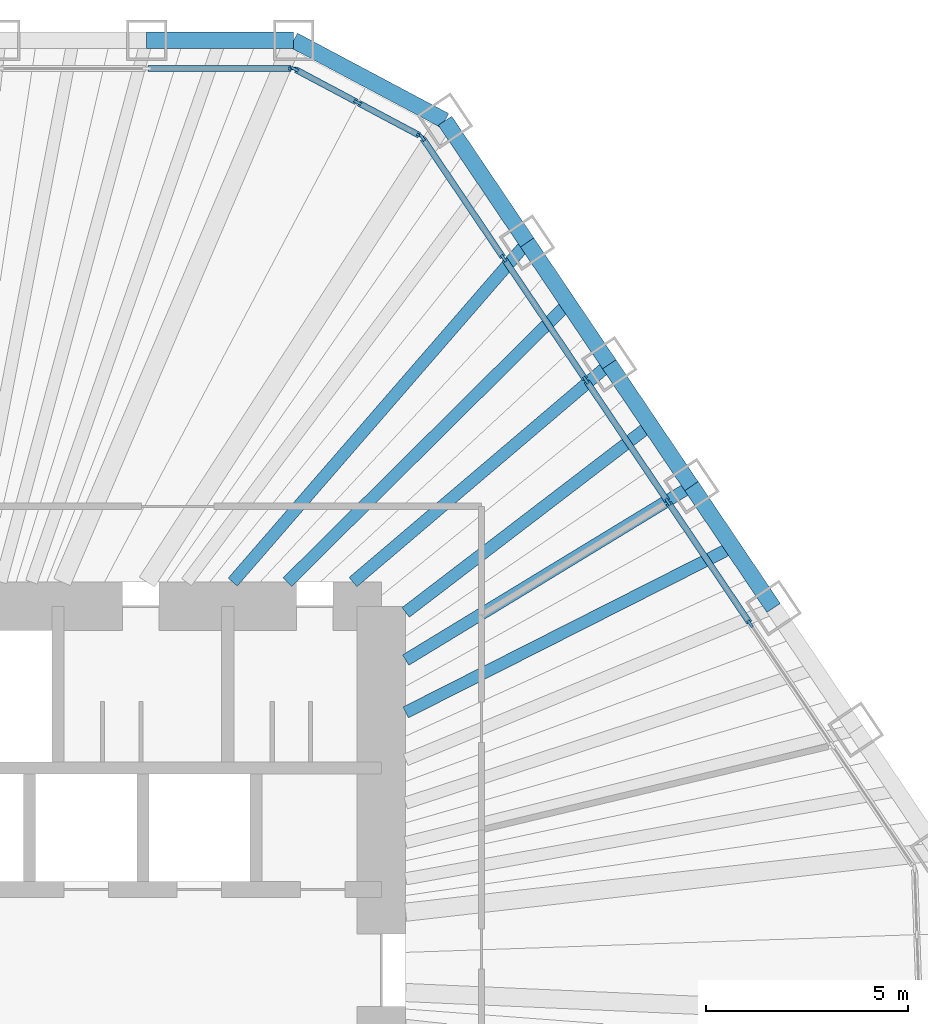
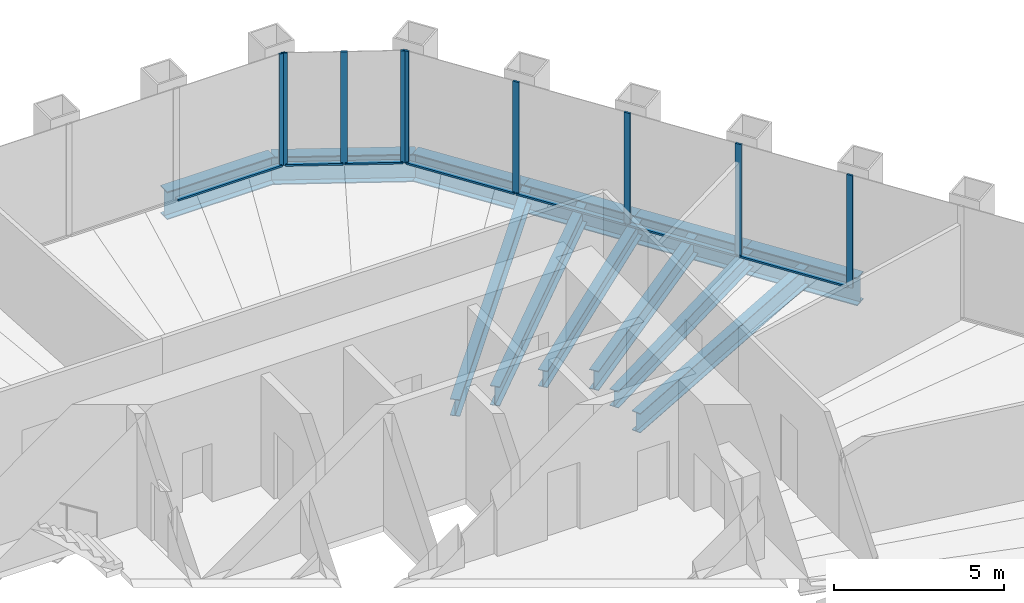
# One storey, part 7 of 13: 16 members, 12 beams, 3 elements without a shape of their own.
"""IFC4 building model written with IfcOpenShell, lengths in metres."""

from ifc_helpers import new_model, si_unit, direction, frame, origin, origin_2d, place, context, subcontext, project, spatial, rectangle, i_section, extrude, material, material_profile, profile_set, type_object, element, aggregate, save


model = new_model("IFC4")

# Units and contexts
model_context = context("Model", 3, precision=1e-05, world=origin(), true_north=direction((0.0, 1.0)))
body_context = subcontext(model_context, "Body", "Model", "MODEL_VIEW")
ifc_project = project(units=[si_unit("LENGTHUNIT", "METRE"), si_unit("AREAUNIT", "SQUARE_METRE"), si_unit("VOLUMEUNIT", "CUBIC_METRE"), si_unit("PLANEANGLEUNIT", "RADIAN"), si_unit("MASSUNIT", "GRAM", prefix="KILO")], contexts=[model_context])

# Site, building, storey
site_placement = place(None, origin())
site = spatial("IfcSite", under=ifc_project, at=site_placement, CompositionType="ELEMENT")
building_placement = place(site_placement, origin())
building = spatial("IfcBuilding", under=site, at=building_placement, Name="Qingtian Harvest Tower", CompositionType="ELEMENT")
storey_placement = place(building_placement, frame((0.0, 0.0, 226.60009765625)))
storey = spatial("IfcBuildingStorey", under=building, at=storey_placement, Name="L49", CompositionType="ELEMENT", Elevation=226.60009765625)

# Beams
ifc_material_1 = material(Name="Steel SN490B", Category="steel")
ifc_material_profile_1 = material_profile(ifc_material_1, i_section(OverallWidth=0.300048828125, OverallDepth=0.60009765625, WebThickness=0.011962890625, FlangeThickness=0.02001953125, at=origin_2d()), Name="H600x300x12x20")
ifc_profile_set_1 = profile_set([ifc_material_profile_1], Name="Steel SN490B")
beam_type_1 = type_object("IfcBeamType", Name="Floor beam FB3 H600x300x12x20", PredefinedType="BEAM", material=ifc_profile_set_1)
beam_1_placement = place(storey_placement, frame((15.603271484375, 17.998046875, -0.47021484375), z_axis=(-0.655048444444, -0.755586881458, 0.0), x_axis=(0.755586881458, -0.655048444444, 0.0)))
element("IfcBeam", 1, at=beam_1_placement, inside=storey, type_object=beam_type_1, Name="Floor beam FB3 NE1", PredefinedType="BEAM", context=body_context, shape_type="SweptSolid", body=[
    extrude(i_section(OverallWidth=0.300048828125, OverallDepth=0.60009765625, WebThickness=0.011962890625, FlangeThickness=0.02001953125, at=origin_2d()), origin(), (0.0, 0.0, 1.0), 11.114501953125),
])
beam_2_placement = place(storey_placement, frame((17.635009765625, 14.985595703125, -0.47021484375), z_axis=(-0.762028398305, -0.647543604846, 0.0), x_axis=(0.647543604846, -0.762028398305, 0.0)))
element("IfcBeam", 2, at=beam_2_placement, inside=storey, type_object=beam_type_1, Name="Floor beam FB3 NE2", PredefinedType="BEAM", context=body_context, shape_type="SweptSolid", body=[
    extrude(i_section(OverallWidth=0.300048828125, OverallDepth=0.60009765625, WebThickness=0.011962890625, FlangeThickness=0.02001953125, at=origin_2d()), origin(), (0.0, 0.0, 1.0), 8.31689453125),
])
beam_3_placement = place(storey_placement, frame((19.6669921875, 11.97314453125, -0.47021484375), z_axis=(-0.854163224424, -0.520004986554, 0.0), x_axis=(0.520004986554, -0.854163224424, 0.0)))
element("IfcBeam", 3, at=beam_3_placement, inside=storey, type_object=beam_type_1, Name="Floor beam FB3 NE3", PredefinedType="BEAM", context=body_context, shape_type="SweptSolid", body=[
    extrude(i_section(OverallWidth=0.300048828125, OverallDepth=0.60009765625, WebThickness=0.011962890625, FlangeThickness=0.02001953125, at=origin_2d()), origin(), (0.0, 0.0, 1.0), 8.2734375),
])
ifc_material_2 = material(Name="Steel SN490B", Category="steel")
ifc_material_profile_2 = material_profile(ifc_material_2, i_section(OverallWidth=0.300048828125, OverallDepth=0.699951171875, WebThickness=0.012939453125, FlangeThickness=0.02392578125, at=origin_2d()), Name="H700x300x13x24")
ifc_profile_set_2 = profile_set([ifc_material_profile_2], Name="Steel SN490B")
beam_type_2 = type_object("IfcBeamType", Name="Floor joist J2 H700x300x13x24", PredefinedType="JOIST", material=ifc_profile_set_2)
beam_4_placement = place(storey_placement, frame((16.619140625, 16.49169921875, -0.52001953125), z_axis=(-0.709833839663, -0.704369164622, 0.0), x_axis=(0.704369164622, -0.709833839663, 0.0)))
element("IfcBeam", 4, at=beam_4_placement, inside=storey, type_object=beam_type_2, Name="Floor joist J2 NE1", PredefinedType="JOIST", context=body_context, shape_type="SweptSolid", body=[
    extrude(i_section(OverallWidth=0.300048828125, OverallDepth=0.699951171875, WebThickness=0.012939453125, FlangeThickness=0.02392578125, at=origin_2d()), origin(), (0.0, 0.0, 1.0), 9.7841796875),
])
beam_5_placement = place(storey_placement, frame((18.651123046875, 13.4794921875, -0.52001953125), z_axis=(-0.794222288871, -0.607627316585, 0.0), x_axis=(0.607627316585, -0.794222288871, 0.0)))
element("IfcBeam", 5, at=beam_5_placement, inside=storey, type_object=beam_type_2, Name="Floor joist J2 NE2", PredefinedType="JOIST", context=body_context, shape_type="SweptSolid", body=[
    extrude(i_section(OverallWidth=0.300048828125, OverallDepth=0.699951171875, WebThickness=0.012939453125, FlangeThickness=0.02392578125, at=origin_2d()), origin(), (0.0, 0.0, 1.0), 7.618896484375),
])
beam_6_placement = place(storey_placement, frame((20.682861328125, 10.467041015625, -0.52001953125), z_axis=(-0.892244443914, -0.451552712652, 0.0), x_axis=(0.451552712652, -0.892244443914, 0.0)))
element("IfcBeam", 6, at=beam_6_placement, inside=storey, type_object=beam_type_2, Name="Floor joist J2 NE3", PredefinedType="JOIST", context=body_context, shape_type="SweptSolid", body=[
    extrude(i_section(OverallWidth=0.300048828125, OverallDepth=0.699951171875, WebThickness=0.012939453125, FlangeThickness=0.02392578125, at=origin_2d()), origin(), (0.0, 0.0, 1.0), 9.058837890625),
])

# Curtain wall, member
ifc_material_3 = material(Name="Bronze-anodised aluminium curtain wall", Category="aluminium")
curtain_wall_type = type_object("IfcCurtainWallType", Name="Curtain wall CW4 office", PredefinedType="USERDEFINED", material=ifc_material_3)
curtain_wall_1_placement = place(storey_placement, origin())
curtain_wall_1 = element("IfcCurtainWall", 7, at=curtain_wall_1_placement, inside=storey, type_object=curtain_wall_type, Name="Curtain wall CW4 L49 N0-5", ObjectType="RECESSED CURTAIN WALL", PredefinedType="USERDEFINED")
ifc_material_4 = material(Name="Bronze-anodised aluminium mullion", Category="aluminium")
ifc_material_profile_3 = material_profile(ifc_material_4, rectangle(XDim=0.06494140625, YDim=0.199951171875, at=origin_2d()), Name="AL 65x200")
ifc_profile_set_3 = profile_set([ifc_material_profile_3], Name="Bronze-anodised aluminium mullion")
member_type_1 = type_object("IfcMemberType", Name="Mullion CWM 65x200", PredefinedType="MULLION", material=ifc_profile_set_3)
member_1_placement = place(storey_placement, frame((9.796875, 22.300048828125, 0.0), z_axis=(0.0, 0.0, 1.0), x_axis=(0.0, 1.0, 0.0)))
member_1 = element("IfcMember", 8, at=member_1_placement, type_object=member_type_1, Name="CW4 mullion 7", PredefinedType="MULLION", context=body_context, shape_type="SweptSolid", body=[
    extrude(rectangle(XDim=0.06494140625, YDim=0.199951171875, at=origin_2d()), origin(), (0.0, 0.0, 1.0), 4.02978515625),
])

# Curtain wall, members
curtain_wall_2_placement = place(storey_placement, origin())
curtain_wall_2 = element("IfcCurtainWall", 9, at=curtain_wall_2_placement, inside=storey, type_object=curtain_wall_type, Name="Curtain wall CW4 L49 NC", ObjectType="RECESSED CURTAIN WALL", PredefinedType="USERDEFINED")
member_2_placement = place(storey_placement, frame((9.85791015625, 22.28466796875, 0.0), z_axis=(0.0, 0.0, 1.0), x_axis=(0.469471562786, 0.882947592859, 0.0)))
member_2 = element("IfcMember", 10, at=member_2_placement, type_object=member_type_1, Name="CW4 mullion 1", PredefinedType="MULLION", context=body_context, shape_type="SweptSolid", body=[
    extrude(rectangle(XDim=0.06494140625, YDim=0.199951171875, at=origin_2d()), origin(), (0.0, 0.0, 1.0), 4.02978515625),
])
member_3_placement = place(storey_placement, frame((11.41015625, 21.45947265625, 0.0), z_axis=(0.0, 0.0, 1.0), x_axis=(0.469471562786, 0.882947592859, 0.0)))
member_3 = element("IfcMember", 11, at=member_3_placement, type_object=member_type_1, Name="CW4 mullion 2", PredefinedType="MULLION", context=body_context, shape_type="SweptSolid", body=[
    extrude(rectangle(XDim=0.06494140625, YDim=0.199951171875, at=origin_2d()), origin(), (0.0, 0.0, 1.0), 4.02978515625),
])
member_4_placement = place(storey_placement, frame((12.96240234375, 20.634033203125, 0.0), z_axis=(0.0, 0.0, 1.0), x_axis=(0.469471562786, 0.882947592859, 0.0)))
member_4 = element("IfcMember", 12, at=member_4_placement, type_object=member_type_1, Name="CW4 mullion 3", PredefinedType="MULLION", context=body_context, shape_type="SweptSolid", body=[
    extrude(rectangle(XDim=0.06494140625, YDim=0.199951171875, at=origin_2d()), origin(), (0.0, 0.0, 1.0), 4.02978515625),
])

curtain_wall_3_placement = place(storey_placement, origin())
curtain_wall_3 = element("IfcCurtainWall", 13, at=curtain_wall_3_placement, inside=storey, type_object=curtain_wall_type, Name="Curtain wall CW4 L49 NE0-5", ObjectType="RECESSED CURTAIN WALL", PredefinedType="USERDEFINED")
member_5_placement = place(storey_placement, frame((13.00927734375, 20.592041015625, 0.0), z_axis=(0.0, 0.0, 1.0), x_axis=(0.829037572555, 0.559192903471, 0.0)))
member_5 = element("IfcMember", 14, at=member_5_placement, type_object=member_type_1, Name="CW4 mullion 1", PredefinedType="MULLION", context=body_context, shape_type="SweptSolid", body=[
    extrude(rectangle(XDim=0.06494140625, YDim=0.199951171875, at=origin_2d()), origin(), (0.0, 0.0, 1.0), 4.02978515625),
])
member_6_placement = place(storey_placement, frame((15.02294921875, 17.6064453125, 0.0), z_axis=(0.0, 0.0, 1.0), x_axis=(0.829037572555, 0.559192903471, 0.0)))
member_6 = element("IfcMember", 15, at=member_6_placement, type_object=member_type_1, Name="CW4 mullion 2", PredefinedType="MULLION", context=body_context, shape_type="SweptSolid", body=[
    extrude(rectangle(XDim=0.06494140625, YDim=0.199951171875, at=origin_2d()), origin(), (0.0, 0.0, 1.0), 4.02978515625),
])
member_7_placement = place(storey_placement, frame((17.0546875, 14.59423828125, 0.0), z_axis=(0.0, 0.0, 1.0), x_axis=(0.829037572555, 0.559192903471, 0.0)))
member_7 = element("IfcMember", 16, at=member_7_placement, type_object=member_type_1, Name="CW4 mullion 3", PredefinedType="MULLION", context=body_context, shape_type="SweptSolid", body=[
    extrude(rectangle(XDim=0.06494140625, YDim=0.199951171875, at=origin_2d()), origin(), (0.0, 0.0, 1.0), 4.02978515625),
])
member_8_placement = place(storey_placement, frame((19.086669921875, 11.581787109375, 0.0), z_axis=(0.0, 0.0, 1.0), x_axis=(0.829037572555, 0.559192903471, 0.0)))
member_8 = element("IfcMember", 17, at=member_8_placement, type_object=member_type_1, Name="CW4 mullion 4", PredefinedType="MULLION", context=body_context, shape_type="SweptSolid", body=[
    extrude(rectangle(XDim=0.06494140625, YDim=0.199951171875, at=origin_2d()), origin(), (0.0, 0.0, 1.0), 4.02978515625),
])
member_9_placement = place(storey_placement, frame((21.118408203125, 8.569580078125, 0.0), z_axis=(0.0, 0.0, 1.0), x_axis=(0.829037572555, 0.559192903471, 0.0)))
member_9 = element("IfcMember", 18, at=member_9_placement, type_object=member_type_1, Name="CW4 mullion 5", PredefinedType="MULLION", context=body_context, shape_type="SweptSolid", body=[
    extrude(rectangle(XDim=0.06494140625, YDim=0.199951171875, at=origin_2d()), origin(), (0.0, 0.0, 1.0), 4.02978515625),
])

# Beams
ifc_material_5 = material(Name="Steel SN490B", Category="steel")
ifc_material_profile_4 = material_profile(ifc_material_5, i_section(OverallWidth=0.39990234375, OverallDepth=1.0, WebThickness=0.01904296875, FlangeThickness=0.035888671875, at=origin_2d()), Name="H1000x400x19x36")
ifc_profile_set_4 = profile_set([ifc_material_profile_4], Name="Steel SN490B")
beam_type_3 = type_object("IfcBeamType", Name="Spandrel beam SB3 H1000x400x19x36", PredefinedType="SPANDREL", material=ifc_profile_set_4)
beam_7_placement = place(storey_placement, frame((6.19580078125, 23.0, -0.5), z_axis=(1.0, 0.0, 0.0), x_axis=(0.0, 1.0, 0.0)))
element("IfcBeam", 19, at=beam_7_placement, inside=storey, type_object=beam_type_3, Name="Spandrel SB3 N5", PredefinedType="SPANDREL", context=body_context, shape_type="SweptSolid", body=[
    extrude(i_section(OverallWidth=0.39990234375, OverallDepth=1.0, WebThickness=0.01904296875, FlangeThickness=0.035888671875, at=origin_2d()), origin(), (0.0, 0.0, 1.0), 3.633544921875),
])
beam_8_placement = place(storey_placement, frame((9.829345703125, 23.0, -0.5), z_axis=(0.882935902835, -0.469493547863, 0.0), x_axis=(0.469493547863, 0.882935902835, 0.0)))
element("IfcBeam", 20, at=beam_8_placement, inside=storey, type_object=beam_type_3, Name="Spandrel SB3 NC", PredefinedType="SPANDREL", context=body_context, shape_type="SweptSolid", body=[
    extrude(i_section(OverallWidth=0.39990234375, OverallDepth=1.0, WebThickness=0.01904296875, FlangeThickness=0.035888671875, at=origin_2d()), origin(), (0.0, 0.0, 1.0), 4.238037109375),
])
for number, where, z_axis, x_axis, name in (
    (21, (13.5712890625, 21.01025390625, -0.5), (0.559235108412, -0.829009103399, 0.0), (0.829009103399, 0.559235108412, 0.0), "Spandrel SB3 NE0"),
    (22, (15.603271484375, 17.998046875, -0.5), (0.55915777886, -0.829061263321, 0.0), (0.829061263321, 0.55915777886, 0.0), "Spandrel SB3 NE1"),
):
    element("IfcBeam", number, at=place(storey_placement, frame(where, z_axis=z_axis, x_axis=x_axis)), inside=storey, type_object=beam_type_3, Name=name, PredefinedType="SPANDREL", context=body_context, shape_type="SweptSolid", body=[
        extrude(i_section(OverallWidth=0.39990234375, OverallDepth=1.0, WebThickness=0.01904296875, FlangeThickness=0.035888671875, at=origin_2d()), origin(), (0.0, 0.0, 1.0), 3.633544921875),
    ])
beam_9_placement = place(storey_placement, frame((17.635009765625, 14.985595703125, -0.5), z_axis=(0.55920395902, -0.829030115385, 0.0), x_axis=(0.829030115385, 0.55920395902, 0.0)))
element("IfcBeam", 23, at=beam_9_placement, inside=storey, type_object=beam_type_3, Name="Spandrel SB3 NE2", PredefinedType="SPANDREL", context=body_context, shape_type="SweptSolid", body=[
    extrude(i_section(OverallWidth=0.39990234375, OverallDepth=1.0, WebThickness=0.01904296875, FlangeThickness=0.035888671875, at=origin_2d()), origin(), (0.0, 0.0, 1.0), 3.6337890625),
])
beam_10_placement = place(storey_placement, frame((19.6669921875, 11.97314453125, -0.5), z_axis=(0.559188928021, -0.829040254016, 0.0), x_axis=(0.829040254016, 0.559188928021, 0.0)))
element("IfcBeam", 24, at=beam_10_placement, inside=storey, type_object=beam_type_3, Name="Spandrel SB3 NE3", PredefinedType="SPANDREL", context=body_context, shape_type="SweptSolid", body=[
    extrude(i_section(OverallWidth=0.39990234375, OverallDepth=1.0, WebThickness=0.01904296875, FlangeThickness=0.035888671875, at=origin_2d()), origin(), (0.0, 0.0, 1.0), 3.63330078125),
])

# Member
ifc_material_6 = material(Name="Bronze-anodised aluminium transom", Category="aluminium")
ifc_material_profile_5 = material_profile(ifc_material_6, rectangle(XDim=0.14990234375, YDim=0.06494140625, at=origin_2d()), Name="AL 65x150")
ifc_profile_set_5 = profile_set([ifc_material_profile_5], Name="Bronze-anodised aluminium transom")
member_type_2 = type_object("IfcMemberType", Name="Transom CWT 65x150", PredefinedType="USERDEFINED", material=ifc_profile_set_5)
member_10_placement = place(storey_placement, frame((6.228271484375, 22.300048828125, 0.032470703125), z_axis=(1.0, 0.0, 0.0), x_axis=(0.0, 1.0, 0.0)))
member_10 = element("IfcMember", 25, at=member_10_placement, type_object=member_type_2, Name="CW4 transom 6.1", ObjectType="TRANSOM", PredefinedType="USERDEFINED", context=body_context, shape_type="SweptSolid", body=[
    extrude(rectangle(XDim=0.14990234375, YDim=0.06494140625, at=origin_2d()), origin(), (0.0, 0.0, 1.0), 3.5361328125),
])

aggregate(curtain_wall_1, [member_1, member_10])

member_11_placement = place(storey_placement, frame((9.88671875, 22.26953125, 0.032470703125), z_axis=(0.882927080927, -0.469510138086, 0.0), x_axis=(0.469510138086, 0.882927080927, 0.0)))
member_11 = element("IfcMember", 26, at=member_11_placement, type_object=member_type_2, Name="CW4 transom 1.1", ObjectType="TRANSOM", PredefinedType="USERDEFINED", context=body_context, shape_type="SweptSolid", body=[
    extrude(rectangle(XDim=0.14990234375, YDim=0.06494140625, at=origin_2d()), origin(), (0.0, 0.0, 1.0), 1.693115234375),
])

member_12_placement = place(storey_placement, frame((11.43896484375, 21.444091796875, 0.032470703125), z_axis=(0.882955074232, -0.469457492098, 0.0), x_axis=(0.469457492098, 0.882955074232, 0.0)))
member_12 = element("IfcMember", 27, at=member_12_placement, type_object=member_type_2, Name="CW4 transom 2.1", ObjectType="TRANSOM", PredefinedType="USERDEFINED", context=body_context, shape_type="SweptSolid", body=[
    extrude(rectangle(XDim=0.14990234375, YDim=0.06494140625, at=origin_2d()), origin(), (0.0, 0.0, 1.0), 1.69287109375),
])

aggregate(curtain_wall_2, [member_2, member_3, member_4, member_11, member_12])

member_13_placement = place(storey_placement, frame((13.02734375, 20.56494140625, 0.032470703125), z_axis=(0.559201266891, -0.829031931295, 0.0), x_axis=(0.829031931295, 0.559201266891, 0.0)))
member_13 = element("IfcMember", 28, at=member_13_placement, type_object=member_type_2, Name="CW4 transom 1.1", ObjectType="TRANSOM", PredefinedType="USERDEFINED", context=body_context, shape_type="SweptSolid", body=[
    extrude(rectangle(XDim=0.14990234375, YDim=0.06494140625, at=origin_2d()), origin(), (0.0, 0.0, 1.0), 3.535888671875),
])

member_14_placement = place(storey_placement, frame((15.041015625, 17.57958984375, 0.032470703125), z_axis=(0.559207281901, -0.829027874, 0.0), x_axis=(0.829027874, 0.559207281901, 0.0)))
member_14 = element("IfcMember", 29, at=member_14_placement, type_object=member_type_2, Name="CW4 transom 2.1", ObjectType="TRANSOM", PredefinedType="USERDEFINED", context=body_context, shape_type="SweptSolid", body=[
    extrude(rectangle(XDim=0.14990234375, YDim=0.06494140625, at=origin_2d()), origin(), (0.0, 0.0, 1.0), 3.568603515625),
])

member_15_placement = place(storey_placement, frame((17.072998046875, 14.567138671875, 0.032470703125), z_axis=(0.559191977147, -0.829038197368, 0.0), x_axis=(0.829038197368, 0.559191977147, 0.0)))
member_15 = element("IfcMember", 30, at=member_15_placement, type_object=member_type_2, Name="CW4 transom 3.1", ObjectType="TRANSOM", PredefinedType="USERDEFINED", context=body_context, shape_type="SweptSolid", body=[
    extrude(rectangle(XDim=0.14990234375, YDim=0.06494140625, at=origin_2d()), origin(), (0.0, 0.0, 1.0), 3.568359375),
])

member_16_placement = place(storey_placement, frame((19.104736328125, 11.554931640625, 0.032470703125), z_axis=(0.559207281901, -0.829027874, 0.0), x_axis=(0.829027874, 0.559207281901, 0.0)))
member_16 = element("IfcMember", 31, at=member_16_placement, type_object=member_type_2, Name="CW4 transom 4.1", ObjectType="TRANSOM", PredefinedType="USERDEFINED", context=body_context, shape_type="SweptSolid", body=[
    extrude(rectangle(XDim=0.14990234375, YDim=0.06494140625, at=origin_2d()), origin(), (0.0, 0.0, 1.0), 3.568603515625),
])

aggregate(curtain_wall_3, [member_5, member_6, member_7, member_8, member_9, member_13, member_14, member_15, member_16])

save(model, "model.ifc")
